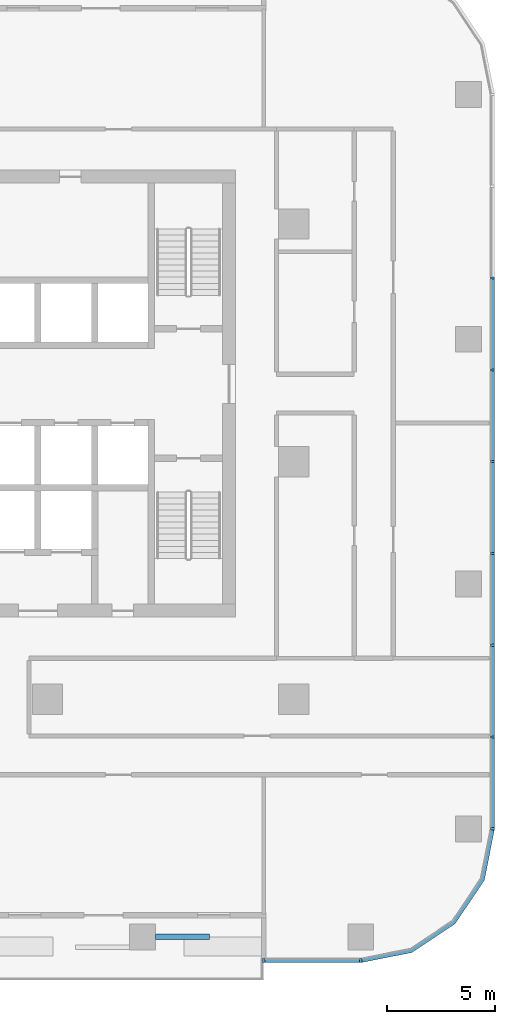
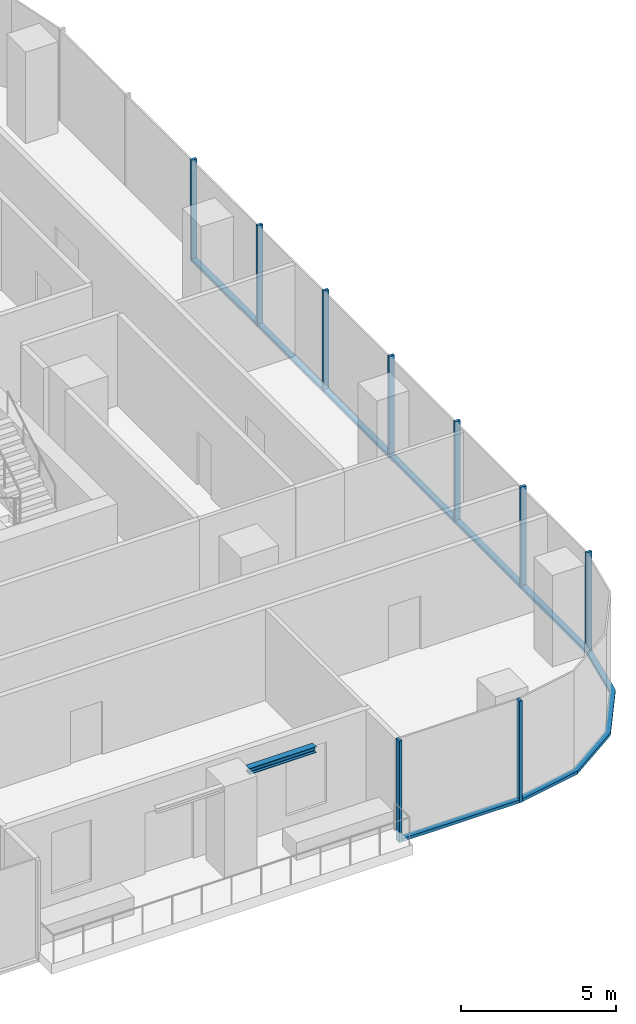
# One storey, part 3 of 14: 17 members, 1 beam, 3 elements without a shape of their own.
"""IFC4 building model written with IfcOpenShell, lengths in metres."""

from ifc_helpers import new_model, si_unit, direction, frame, origin, origin_2d, place, context, subcontext, project, spatial, polyline, rectangle, i_section, outline, extrude, material, material_profile, profile_set, type_object, element, aggregate, save


model = new_model("IFC4")

# Units and contexts
model_context = context("Model", 3, precision=1e-05, world=origin(), true_north=direction((0.0, 1.0)))
body_context = subcontext(model_context, "Body", "Model", "MODEL_VIEW")
ifc_project = project(units=[si_unit("LENGTHUNIT", "METRE"), si_unit("AREAUNIT", "SQUARE_METRE"), si_unit("VOLUMEUNIT", "CUBIC_METRE"), si_unit("PLANEANGLEUNIT", "RADIAN"), si_unit("MASSUNIT", "GRAM", prefix="KILO")], contexts=[model_context])

# Site, building, storey
site_placement = place(None, origin())
site = spatial("IfcSite", under=ifc_project, at=site_placement, CompositionType="ELEMENT")
building_placement = place(site_placement, origin())
building = spatial("IfcBuilding", under=site, at=building_placement, Name="Mopane Tessera Tower", CompositionType="ELEMENT")
storey_placement = place(building_placement, frame((0.0, 0.0, 197.0)))
storey = spatial("IfcBuildingStorey", under=building, at=storey_placement, Name="L41", CompositionType="ELEMENT", Elevation=197.0)

# Curtain wall, members
ifc_material_1 = material(Name="Aluminium frame", Category="aluminium")
curtain_wall_type = type_object("IfcCurtainWallType", Name="Unitised curtain wall", PredefinedType="NOTDEFINED", material=ifc_material_1)
curtain_wall_1_placement = place(storey_placement, origin())
curtain_wall_1 = element("IfcCurtainWall", 1, at=curtain_wall_1_placement, inside=storey, type_object=curtain_wall_type, Name="e:cw:L41:S:8", PredefinedType="NOTDEFINED")
ifc_material_2 = material(Name="Aluminium frame", Category="aluminium")
ifc_material_profile_1 = material_profile(ifc_material_2, rectangle(XDim=0.10009765625, YDim=0.199951171875, at=origin_2d()))
ifc_profile_set_1 = profile_set([ifc_material_profile_1], Name="Aluminium frame")
member_type_1 = type_object("IfcMemberType", Name="Aluminium mullion 100 x 200", PredefinedType="MULLION", material=ifc_profile_set_1)
member_1_placement = place(storey_placement, frame((15.711181640625, -23.10009765625, -0.39990234375), z_axis=(0.0, 0.0, 1.0), x_axis=(1.0, 0.0, 0.0)))
member_1 = element("IfcMember", 2, at=member_1_placement, type_object=member_type_1, Name="e:cw:L41:S:8:mu8", PredefinedType="MULLION", context=body_context, shape_type="SweptSolid", body=[
    extrude(rectangle(XDim=0.10009765625, YDim=0.199951171875, at=origin_2d()), origin(), (0.0, 0.0, 1.0), 4.0),
])
member_2_placement = place(storey_placement, frame((20.199951171875, -23.10009765625, -0.39990234375), z_axis=(0.0, 0.0, 1.0), x_axis=(1.0, 0.0, 0.0)))
member_2 = element("IfcMember", 3, at=member_2_placement, type_object=member_type_1, Name="e:cw:L41:S:8:mu9", PredefinedType="MULLION", context=body_context, shape_type="SweptSolid", body=[
    extrude(rectangle(XDim=0.10009765625, YDim=0.199951171875, at=origin_2d()), origin(), (0.0, 0.0, 1.0), 4.0),
])

curtain_wall_2_placement = place(storey_placement, origin())
curtain_wall_2 = element("IfcCurtainWall", 4, at=curtain_wall_2_placement, inside=storey, type_object=curtain_wall_type, Name="e:cw:L41:E:0", PredefinedType="NOTDEFINED")
member_3_placement = place(storey_placement, frame((26.300048828125, -17.0, -0.39990234375), z_axis=(0.0, 0.0, 1.0), x_axis=(0.0, 1.0, 0.0)))
member_3 = element("IfcMember", 5, at=member_3_placement, type_object=member_type_1, Name="e:cw:L41:E:0:mu0", PredefinedType="MULLION", context=body_context, shape_type="SweptSolid", body=[
    extrude(rectangle(XDim=0.10009765625, YDim=0.199951171875, at=origin_2d()), origin(), (0.0, 0.0, 1.0), 4.0),
])
member_4_placement = place(storey_placement, frame((26.300048828125, -12.75, -0.39990234375), z_axis=(0.0, 0.0, 1.0), x_axis=(0.0, 1.0, 0.0)))
member_4 = element("IfcMember", 6, at=member_4_placement, type_object=member_type_1, Name="e:cw:L41:E:0:mu1", PredefinedType="MULLION", context=body_context, shape_type="SweptSolid", body=[
    extrude(rectangle(XDim=0.10009765625, YDim=0.199951171875, at=origin_2d()), origin(), (0.0, 0.0, 1.0), 4.0),
])
member_5_placement = place(storey_placement, frame((26.300048828125, -8.5, -0.39990234375), z_axis=(0.0, 0.0, 1.0), x_axis=(0.0, 1.0, 0.0)))
member_5 = element("IfcMember", 7, at=member_5_placement, type_object=member_type_1, Name="e:cw:L41:E:0:mu2", PredefinedType="MULLION", context=body_context, shape_type="SweptSolid", body=[
    extrude(rectangle(XDim=0.10009765625, YDim=0.199951171875, at=origin_2d()), origin(), (0.0, 0.0, 1.0), 4.0),
])
member_6_placement = place(storey_placement, frame((26.300048828125, -4.25, -0.39990234375), z_axis=(0.0, 0.0, 1.0), x_axis=(0.0, 1.0, 0.0)))
member_6 = element("IfcMember", 8, at=member_6_placement, type_object=member_type_1, Name="e:cw:L41:E:0:mu3", PredefinedType="MULLION", context=body_context, shape_type="SweptSolid", body=[
    extrude(rectangle(XDim=0.10009765625, YDim=0.199951171875, at=origin_2d()), origin(), (0.0, 0.0, 1.0), 4.0),
])
member_7_placement = place(storey_placement, frame((26.300048828125, 0.0, -0.39990234375), z_axis=(0.0, 0.0, 1.0), x_axis=(0.0, 1.0, 0.0)))
member_7 = element("IfcMember", 9, at=member_7_placement, type_object=member_type_1, Name="e:cw:L41:E:0:mu4", PredefinedType="MULLION", context=body_context, shape_type="SweptSolid", body=[
    extrude(rectangle(XDim=0.10009765625, YDim=0.199951171875, at=origin_2d()), origin(), (0.0, 0.0, 1.0), 4.0),
])
member_8_placement = place(storey_placement, frame((26.300048828125, 4.25, -0.39990234375), z_axis=(0.0, 0.0, 1.0), x_axis=(0.0, 1.0, 0.0)))
member_8 = element("IfcMember", 10, at=member_8_placement, type_object=member_type_1, Name="e:cw:L41:E:0:mu5", PredefinedType="MULLION", context=body_context, shape_type="SweptSolid", body=[
    extrude(rectangle(XDim=0.10009765625, YDim=0.199951171875, at=origin_2d()), origin(), (0.0, 0.0, 1.0), 4.0),
])
member_9_placement = place(storey_placement, frame((26.300048828125, 8.5, -0.39990234375), z_axis=(0.0, 0.0, 1.0), x_axis=(0.0, 1.0, 0.0)))
member_9 = element("IfcMember", 11, at=member_9_placement, type_object=member_type_1, Name="e:cw:L41:E:0:mu6", PredefinedType="MULLION", context=body_context, shape_type="SweptSolid", body=[
    extrude(rectangle(XDim=0.10009765625, YDim=0.199951171875, at=origin_2d()), origin(), (0.0, 0.0, 1.0), 4.0),
])

# Member
ifc_material_3 = material(Name="Aluminium frame", Category="aluminium")
ifc_material_profile_2 = material_profile(ifc_material_3, rectangle(XDim=0.199951171875, YDim=0.1201171875, at=origin_2d()))
ifc_profile_set_2 = profile_set([ifc_material_profile_2], Name="Aluminium frame")
member_type_2 = type_object("IfcMemberType", Name="Aluminium transom 200 x 120", PredefinedType="USERDEFINED", material=ifc_profile_set_2)
member_10_placement = place(storey_placement, frame((15.76123046875, -23.10009765625, -0.340087890625), z_axis=(1.0, 0.0, 0.0), x_axis=(0.0, 1.0, 0.0)))
member_10 = element("IfcMember", 12, at=member_10_placement, type_object=member_type_2, Name="e:cw:L41:S:8:tr8", ObjectType="TRANSOM", PredefinedType="USERDEFINED", context=body_context, shape_type="SweptSolid", body=[
    extrude(rectangle(XDim=0.199951171875, YDim=0.1201171875, at=origin_2d()), origin(), (0.0, 0.0, 1.0), 4.388671875),
])

aggregate(curtain_wall_1, [member_1, member_2, member_10])

# Curtain wall, member
curtain_wall_3_placement = place(storey_placement, origin())
curtain_wall_3 = element("IfcCurtainWall", 13, at=curtain_wall_3_placement, inside=storey, type_object=curtain_wall_type, Name="e:cw:L41:CS", PredefinedType="NOTDEFINED")
member_11_placement = place(storey_placement, frame((0.0, 0.0, -0.39990234375)))
member_11 = element("IfcMember", 14, at=member_11_placement, type_object=member_type_2, Name="e:cw:L41:CS:tr", ObjectType="TRANSOM", PredefinedType="USERDEFINED", context=body_context, shape_type="SweptSolid", body=[
    extrude(outline(polyline([(20.199951171875, -23.0), (22.49609375, -22.543212890625), (24.442626953125, -21.24267578125), (25.7431640625, -19.296142578125), (26.199951171875, -17.0), (26.39990234375, -17.0), (25.927978515625, -19.37255859375), (24.583984375, -21.384033203125), (22.57275390625, -22.72802734375), (20.199951171875, -23.199951171875), (20.199951171875, -23.0)])), origin(), (0.0, 0.0, 1.0), 0.119873046875),
])
aggregate(curtain_wall_3, [member_11])

# Member
member_12_placement = place(storey_placement, frame((26.300048828125, -16.949951171875, -0.340087890625), z_axis=(0.0, 1.0, 0.0), x_axis=(-1.0, 0.0, 0.0)))
member_12 = element("IfcMember", 15, at=member_12_placement, type_object=member_type_2, Name="e:cw:L41:E:0:tr0", ObjectType="TRANSOM", PredefinedType="USERDEFINED", context=body_context, shape_type="SweptSolid", body=[
    extrude(rectangle(XDim=0.199951171875, YDim=0.1201171875, at=origin_2d()), origin(), (0.0, 0.0, 1.0), 4.14990234375),
])

member_13_placement = place(storey_placement, frame((26.300048828125, -12.699951171875, -0.340087890625), z_axis=(0.0, 1.0, 0.0), x_axis=(-1.0, 0.0, 0.0)))
member_13 = element("IfcMember", 16, at=member_13_placement, type_object=member_type_2, Name="e:cw:L41:E:0:tr1", ObjectType="TRANSOM", PredefinedType="USERDEFINED", context=body_context, shape_type="SweptSolid", body=[
    extrude(rectangle(XDim=0.199951171875, YDim=0.1201171875, at=origin_2d()), origin(), (0.0, 0.0, 1.0), 4.14990234375),
])

member_14_placement = place(storey_placement, frame((26.300048828125, -8.449951171875, -0.340087890625), z_axis=(0.0, 1.0, 0.0), x_axis=(-1.0, 0.0, 0.0)))
member_14 = element("IfcMember", 17, at=member_14_placement, type_object=member_type_2, Name="e:cw:L41:E:0:tr2", ObjectType="TRANSOM", PredefinedType="USERDEFINED", context=body_context, shape_type="SweptSolid", body=[
    extrude(rectangle(XDim=0.199951171875, YDim=0.1201171875, at=origin_2d()), origin(), (0.0, 0.0, 1.0), 4.14990234375),
])

member_15_placement = place(storey_placement, frame((26.300048828125, -4.199951171875, -0.340087890625), z_axis=(0.0, 1.0, 0.0), x_axis=(-1.0, 0.0, 0.0)))
member_15 = element("IfcMember", 18, at=member_15_placement, type_object=member_type_2, Name="e:cw:L41:E:0:tr3", ObjectType="TRANSOM", PredefinedType="USERDEFINED", context=body_context, shape_type="SweptSolid", body=[
    extrude(rectangle(XDim=0.199951171875, YDim=0.1201171875, at=origin_2d()), origin(), (0.0, 0.0, 1.0), 4.14990234375),
])

member_16_placement = place(storey_placement, frame((26.300048828125, 0.050048828125, -0.340087890625), z_axis=(0.0, 1.0, 0.0), x_axis=(-1.0, 0.0, 0.0)))
member_16 = element("IfcMember", 19, at=member_16_placement, type_object=member_type_2, Name="e:cw:L41:E:0:tr4", ObjectType="TRANSOM", PredefinedType="USERDEFINED", context=body_context, shape_type="SweptSolid", body=[
    extrude(rectangle(XDim=0.199951171875, YDim=0.1201171875, at=origin_2d()), origin(), (0.0, 0.0, 1.0), 4.14990234375),
])

member_17_placement = place(storey_placement, frame((26.300048828125, 4.300048828125, -0.340087890625), z_axis=(0.0, 1.0, 0.0), x_axis=(-1.0, 0.0, 0.0)))
member_17 = element("IfcMember", 20, at=member_17_placement, type_object=member_type_2, Name="e:cw:L41:E:0:tr5", ObjectType="TRANSOM", PredefinedType="USERDEFINED", context=body_context, shape_type="SweptSolid", body=[
    extrude(rectangle(XDim=0.199951171875, YDim=0.1201171875, at=origin_2d()), origin(), (0.0, 0.0, 1.0), 4.14990234375),
])

aggregate(curtain_wall_2, [member_3, member_4, member_5, member_6, member_7, member_8, member_9, member_12, member_13, member_14, member_15, member_16, member_17])

# Beam
ifc_material_4 = material(Name="Structural steel S460", Category="steel")
ifc_material_profile_3 = material_profile(ifc_material_4, i_section(OverallWidth=0.239990234375, OverallDepth=0.239990234375, WebThickness=0.010009765625, FlangeThickness=0.01708984375, FilletRadius=0.02099609375, at=origin_2d()))
ifc_profile_set_3 = profile_set([ifc_material_profile_3], Name="Structural steel S460")
beam_type = type_object("IfcBeamType", Name="Terrace spandrel beam HE 240 B", PredefinedType="SPANDREL", material=ifc_profile_set_3)
beam_placement = place(storey_placement, frame((10.703125, -22.0, 3.47998046875), z_axis=(1.0, 0.0, 0.0), x_axis=(0.0, 1.0, 0.0)))
element("IfcBeam", 21, at=beam_placement, inside=storey, type_object=beam_type, Name="Terrace spandrel beam N2 L42", PredefinedType="SPANDREL", context=body_context, shape_type="SweptSolid", body=[
    extrude(i_section(OverallWidth=0.239990234375, OverallDepth=0.239990234375, WebThickness=0.010009765625, FlangeThickness=0.01708984375, FilletRadius=0.02099609375, at=origin_2d()), origin(), (0.0, 0.0, 1.0), 2.5),
])

save(model, "model.ifc")
